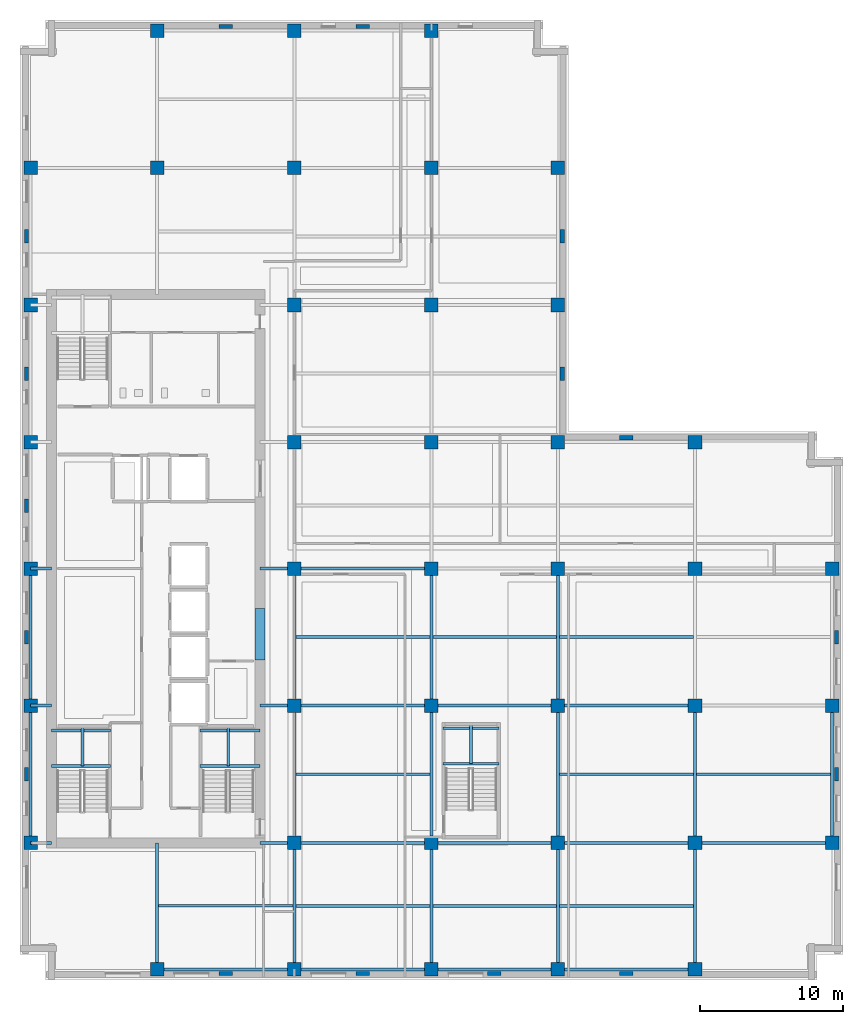
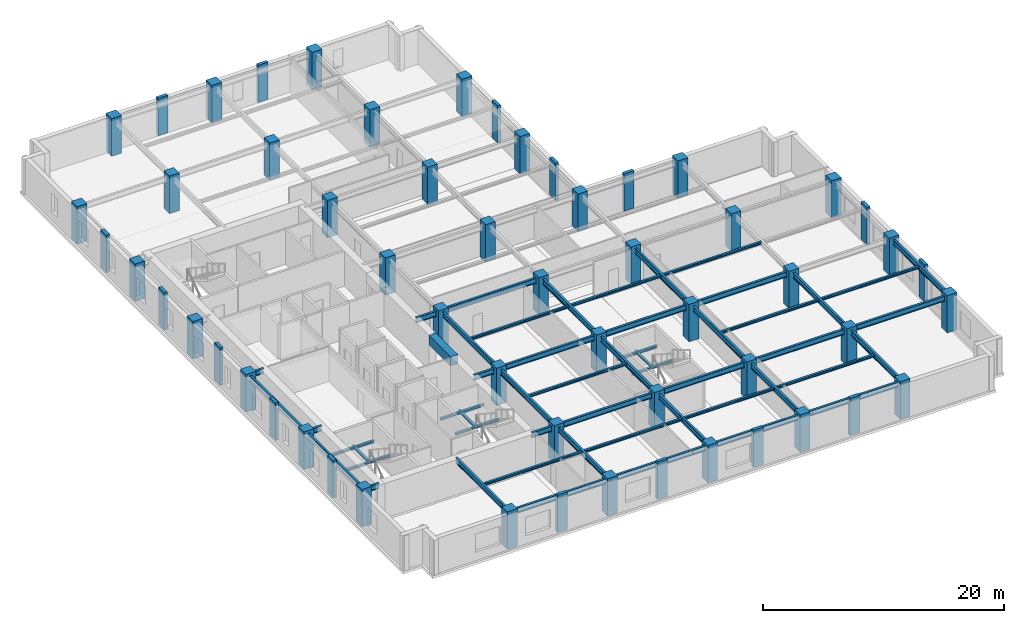
# One storey, part 1 of 12: 56 columns, 53 beams.
"""IFC4 building model written with IfcOpenShell, lengths in metres."""

import ifcopenshell
import ifcopenshell.guid

model = None  # the IFC model being written
_history = None  # IfcOwnerHistory: only IFC2X3 demands one
_inside = {}  # id of a spatial element -> (the spatial element, [elements in it])
_under = {}  # id of a project, library or spatial element -> (it, [spatial elements below it])
_declared = {}  # id of a project -> (the project, [libraries it declares])
_typed = {}  # id of a type object -> (the type object, [elements of that type])
_made_of = {}  # id of a material, layer set ... -> (it, [elements and type objects made of it])


def new_model(schema):
    """Start an empty IFC model of exactly this schema.

    Asked for "IFC4X3", IfcOpenShell would pick the latest addendum, in which some entities
    have other attributes; the version numbers below select the first issue.
    IFC2X3 requires an IfcOwnerHistory on every rooted entity: one is made here for all.
    """
    global model, _history
    if schema == "IFC4X3":
        model = ifcopenshell.file(schema_version=(4, 3, 0, 0))
    else:
        model = ifcopenshell.file(schema=schema)
    _inside.clear()
    _under.clear()
    _declared.clear()
    _typed.clear()
    _made_of.clear()
    _history = None
    if model.schema == "IFC2X3":
        org = make("IfcOrganization", Name="unknown")
        user = make(
            "IfcPersonAndOrganization",
            ThePerson=make("IfcPerson", FamilyName="unknown"),
            TheOrganization=org,
        )
        app = make(
            "IfcApplication",
            ApplicationDeveloper=org,
            Version="unknown",
            ApplicationFullName="unknown",
            ApplicationIdentifier="unknown",
        )
        _history = make(
            "IfcOwnerHistory",
            OwningUser=user,
            OwningApplication=app,
            ChangeAction="ADDED",
            CreationDate=0,
        )
    return model


def make(cls, **values):
    """One entity of the class cls with the attributes given. An attribute that is None is left unset."""
    return model.create_entity(
        cls, **{name: value for name, value in values.items() if value is not None}
    )


def rooted(cls, **values):
    """An entity with a GlobalId (a new one), such as an element, a storey or a relation."""
    return make(cls, GlobalId=ifcopenshell.guid.new(), OwnerHistory=_history, **values)


def si_unit(unit_type, name, prefix=None):
    """IfcSIUnit, for example si_unit("LENGTHUNIT", "METRE", prefix="MILLI")."""
    return make("IfcSIUnit", UnitType=unit_type, Prefix=prefix, Name=name)


def assignment(units):
    """IfcUnitAssignment: the units of a project."""
    return None if units is None else make("IfcUnitAssignment", Units=units)


def point(xyz):
    """IfcCartesianPoint."""
    return None if xyz is None else make("IfcCartesianPoint", Coordinates=xyz)


def direction(xyz):
    """IfcDirection."""
    return None if xyz is None else make("IfcDirection", DirectionRatios=xyz)


def frame(location, z_axis=None, x_axis=None):
    """IfcAxis2Placement3D, a coordinate frame: its origin and axes. An axis left out is left unset."""
    return make(
        "IfcAxis2Placement3D",
        Location=point(location),
        Axis=direction(z_axis),
        RefDirection=direction(x_axis),
    )


def frame_2d(location, x_axis=None):
    """IfcAxis2Placement2D, a coordinate frame in the plane: its origin and x axis."""
    return make(
        "IfcAxis2Placement2D", Location=point(location), RefDirection=direction(x_axis)
    )


def origin():
    """The frame at (0, 0, 0) with its axes left unset."""
    return frame((0.0, 0.0, 0.0))


def origin_2d():
    """The frame at (0, 0) in the plane with its x axis left unset."""
    return frame_2d((0.0, 0.0))


def place(relative_to, where):
    """IfcLocalPlacement: puts the frame where relative to a parent placement (None: the world)."""
    return make(
        "IfcLocalPlacement", PlacementRelTo=relative_to, RelativePlacement=where
    )


def context(
    kind, dimensions, precision=None, world=None, true_north=None, identifier=None
):
    """IfcGeometricRepresentationContext, for example the 3D "Model" context."""
    return make(
        "IfcGeometricRepresentationContext",
        ContextIdentifier=identifier,
        ContextType=kind,
        CoordinateSpaceDimension=dimensions,
        Precision=precision,
        WorldCoordinateSystem=world,
        TrueNorth=true_north,
    )


def subcontext(parent, identifier, kind, view, scale=None):
    """IfcGeometricRepresentationSubContext, for example "Body" below "Model"."""
    return make(
        "IfcGeometricRepresentationSubContext",
        ContextIdentifier=identifier,
        ContextType=kind,
        ParentContext=parent,
        TargetScale=scale,
        TargetView=view,
    )


def project(units=None, contexts=None):
    """IfcProject with its units and contexts."""
    return rooted(
        "IfcProject",
        Name="project",
        RepresentationContexts=contexts,
        UnitsInContext=assignment(units),
    )


def spatial(cls, under=None, at=None, **own):
    """A site, building, storey or space (cls), placed at a placement, below another one or the project."""
    s = rooted(cls, ObjectPlacement=at, **own)
    if under is not None:
        _under.setdefault(under.id(), (under, []))[1].append(s)
    return s


def profile(cls, at=None, kind="AREA", **sizes):
    """A parametric profile (cls). Its sizes go by their IFC names, for example OverallWidth=200.0."""
    return make(cls, ProfileType=kind, Position=at, **sizes)


def rectangle(**sizes):
    """IfcRectangleProfileDef."""
    return profile("IfcRectangleProfileDef", **sizes)


def i_section(**sizes):
    """IfcIShapeProfileDef."""
    return profile("IfcIShapeProfileDef", **sizes)


def extrude(swept, where, along, depth):
    """IfcExtrudedAreaSolid: the profile swept, set in the frame where, extruded along a direction by depth."""
    return make(
        "IfcExtrudedAreaSolid",
        SweptArea=swept,
        Position=where,
        ExtrudedDirection=direction(along),
        Depth=depth,
    )


def shape(context_of_items, identifier, shape_type, items):
    """IfcShapeRepresentation: the items that make up one representation, for example the "Body"."""
    return make(
        "IfcShapeRepresentation",
        ContextOfItems=context_of_items,
        RepresentationIdentifier=identifier,
        RepresentationType=shape_type,
        Items=items,
    )


def material(Name=None, Category=None):
    """IfcMaterial."""
    return make("IfcMaterial", Name=Name, Category=Category)


def material_profile(
    of_material, cross_section, Name=None, Category=None, Priority=None
):
    """IfcMaterialProfile: a cross section and its material."""
    return make(
        "IfcMaterialProfile",
        Name=Name,
        Material=of_material,
        Profile=cross_section,
        Priority=Priority,
        Category=Category,
    )


def profile_set(profiles, Name=None, composite=None):
    """IfcMaterialProfileSet."""
    return make(
        "IfcMaterialProfileSet",
        Name=Name,
        MaterialProfiles=profiles,
        CompositeProfile=composite,
    )


def made_of(thing, what):
    """Note that an element or type object is made of a material, layer set ...; save() writes the relation."""
    if what is not None:
        _made_of.setdefault(what.id(), (what, []))[1].append(thing)
    return thing


def type_object(cls, material=None, **own):
    """A type object (cls), such as IfcWallType, which elements share."""
    return made_of(rooted(cls, **own), material)


def element(
    cls,
    number,
    at=None,
    inside=None,
    cuts=None,
    type_object=None,
    material=None,
    context=None,
    identifier="Body",
    shape_type=None,
    held_by="IfcProductDefinitionShape",
    body=None,
    shapes=None,
    **own,
):
    """One element of the class cls, such as IfcWall. Its Tag is "e" and its number.

    at: its placement. inside: the storey or other place that contains it. cuts: it is an
    opening in that element (IfcRelVoidsElement). A single representation is given by context,
    identifier, shape_type and body (its items); several are given by shapes. held_by: the class
    of the entity that holds the representations. save() writes the other relations.
    """
    e = rooted(cls, Tag="e%d" % number, ObjectPlacement=at, **own)
    if body is not None:
        shapes = [shape(context, identifier, shape_type, body)]
    if shapes is not None:
        e.Representation = make(held_by, Representations=shapes)
    if inside is not None:
        _inside.setdefault(inside.id(), (inside, []))[1].append(e)
    if cuts is not None:
        rooted(
            "IfcRelVoidsElement", RelatingBuildingElement=cuts, RelatedOpeningElement=e
        )
    if type_object is not None:
        _typed.setdefault(type_object.id(), (type_object, []))[1].append(e)
    return made_of(e, material)


def aggregate(whole, parts):
    """IfcRelAggregates: a whole, such as a stair, and the parts it consists of."""
    return rooted("IfcRelAggregates", RelatingObject=whole, RelatedObjects=parts)


def save(model, path):
    """Write the relations noted so far, then the file.

    IfcRelAggregates (storeys below a building ...), IfcRelContainedInSpatialStructure (elements
    in a storey), IfcRelDefinesByType, IfcRelAssociatesMaterial and IfcRelDeclares: one each for
    every whole, place, type object, material and project.
    """
    for whole, parts in _under.values():
        aggregate(whole, parts)
    for where, things in _inside.values():
        rooted(
            "IfcRelContainedInSpatialStructure",
            RelatedElements=things,
            RelatingStructure=where,
        )
    for kind, things in _typed.values():
        rooted("IfcRelDefinesByType", RelatedObjects=things, RelatingType=kind)
    for what, things in _made_of.values():
        rooted("IfcRelAssociatesMaterial", RelatedObjects=things, RelatingMaterial=what)
    for by, libraries in _declared.values():
        rooted("IfcRelDeclares", RelatingContext=by, RelatedDefinitions=libraries)
    model.write(path)


model = new_model("IFC4")

# Units and contexts
model_context = context("Model", 3, precision=1e-05, world=origin(), true_north=direction((0.0, 1.0)))
body_context = subcontext(model_context, "Body", "Model", "MODEL_VIEW")
ifc_project = project(units=[si_unit("LENGTHUNIT", "METRE"), si_unit("AREAUNIT", "SQUARE_METRE"), si_unit("VOLUMEUNIT", "CUBIC_METRE"), si_unit("PLANEANGLEUNIT", "RADIAN"), si_unit("MASSUNIT", "GRAM", prefix="KILO")], contexts=[model_context])

# Site, building, storey
site_placement = place(None, origin())
site = spatial("IfcSite", under=ifc_project, at=site_placement, CompositionType="ELEMENT")
building_placement = place(site_placement, origin())
building = spatial("IfcBuilding", under=site, at=building_placement, Name="Norrvale University Quadrangle", CompositionType="ELEMENT")
storey_placement = place(building_placement, frame((0.0, 0.0, 182.60009765625)))
storey = spatial("IfcBuildingStorey", under=building, at=storey_placement, Name="L46", CompositionType="ELEMENT", Elevation=182.60009765625)

# Columns
ifc_material_1 = material(Name="Red Manganese Brick Concrete C60/75", Category="concrete")
ifc_material_profile_1 = material_profile(ifc_material_1, rectangle(XDim=0.949951171875, YDim=0.300048828125, at=origin_2d()), Name="Red Manganese Brick Concrete C60/75")
ifc_profile_set_1 = profile_set([ifc_material_profile_1], Name="Red Manganese Brick Concrete C60/75")
column_type_1 = type_object("IfcColumnType", Name="Column Brick Pier 950x300", PredefinedType="PILASTER", material=ifc_profile_set_1)
for number, where, z_axis, x_axis, name in (
    (1, (0.449951171875, 14.39990234375, 0.0), (0.0, 0.0, 1.0), (0.0, 1.0, 0.0), "Exterior Brick Facade Pilaster L46-01"),
    (2, (0.449951171875, 24.0, 0.0), (0.0, 0.0, 1.0), (0.0, 1.0, 0.0), "Exterior Brick Facade Pilaster L46-02"),
    (3, (0.449951171875, 33.199951171875, 0.0), (0.0, 0.0, 1.0), (0.0, 1.0, 0.0), "Exterior Brick Facade Pilaster L46-03"),
    (4, (0.449951171875, 42.449951171875, 0.0), (0.0, 0.0, 1.0), (0.0, 1.0, 0.0), "Exterior Brick Facade Pilaster L46-04"),
    (5, (0.449951171875, 52.050048828125, 0.0), (0.0, 0.0, 1.0), (0.0, 1.0, 0.0), "Exterior Brick Facade Pilaster L46-05"),
    (6, (14.39990234375, 0.449951171875, 0.0), (0.0, 0.0, 1.0), (1.0, 0.0, 0.0), "Exterior Brick Facade Pilaster L46-06"),
    (7, (24.0, 0.449951171875, 0.0), (0.0, 0.0, 1.0), (1.0, 0.0, 0.0), "Exterior Brick Facade Pilaster L46-07"),
    (8, (33.199951171875, 0.449951171875, 0.0), (0.0, 0.0, 1.0), (1.0, 0.0, 0.0), "Exterior Brick Facade Pilaster L46-08"),
    (9, (42.449951171875, 0.449951171875, 0.0), (0.0, 0.0, 1.0), (1.0, 0.0, 0.0), "Exterior Brick Facade Pilaster L46-09"),
    (10, (57.14990234375, 14.39990234375, 0.0), (0.0, 0.0, 1.0), (0.0, 1.0, 0.0), "Exterior Brick Facade Pilaster L46-10"),
    (11, (57.14990234375, 24.0, 0.0), (0.0, 0.0, 1.0), (0.0, 1.0, 0.0), "Exterior Brick Facade Pilaster L46-11"),
    (12, (14.39990234375, 66.75, 0.0), (0.0, 0.0, 1.0), (1.0, 0.0, 0.0), "Exterior Brick Facade Pilaster L46-12"),
    (13, (24.0, 66.75, 0.0), (0.0, 0.0, 1.0), (1.0, 0.0, 0.0), "Exterior Brick Facade Pilaster L46-13"),
    (14, (37.949951171875, 42.449951171875, 0.0), (0.0, 0.0, 1.0), (0.0, 1.0, 0.0), "Exterior Brick Facade Pilaster L46-14"),
    (15, (37.949951171875, 52.050048828125, 0.0), (0.0, 0.0, 1.0), (0.0, 1.0, 0.0), "Exterior Brick Facade Pilaster L46-15"),
    (16, (42.449951171875, 37.949951171875, 0.0), (0.0, 0.0, 1.0), (1.0, 0.0, 0.0), "Exterior Brick Facade Pilaster L46-16"),
):
    element("IfcColumn", number, at=place(storey_placement, frame(where, z_axis=z_axis, x_axis=x_axis)), inside=storey, type_object=column_type_1, Name=name, PredefinedType="PILASTER", context=body_context, shape_type="SweptSolid", body=[
        extrude(rectangle(XDim=0.949951171875, YDim=0.300048828125, at=origin_2d()), origin(), (0.0, 0.0, 1.0), 3.7998046875),
    ])
ifc_material_2 = material(Name="Concrete C60/75", Category="concrete")
ifc_material_profile_2 = material_profile(ifc_material_2, rectangle(XDim=0.949951171875, YDim=0.949951171875, at=origin_2d()), Name="Concrete C60/75")
ifc_profile_set_2 = profile_set([ifc_material_profile_2], Name="Concrete C60/75")
column_type_2 = type_object("IfcColumnType", Name="Column Tower Z2 950x950", PredefinedType="COLUMN", material=ifc_profile_set_2)
for number, where, z_axis, x_axis, name in (
    (17, (0.75, 9.60009765625, 0.0), (0.0, 0.0, 1.0), (1.0, 0.0, 0.0), "Tower Column L46-T01"),
    (18, (0.75, 19.199951171875, 0.0), (0.0, 0.0, 1.0), (1.0, 0.0, 0.0), "Tower Column L46-T02"),
    (19, (0.75, 28.800048828125, 0.0), (0.0, 0.0, 1.0), (1.0, 0.0, 0.0), "Tower Column L46-T03"),
    (20, (0.75, 37.64990234375, 0.0), (0.0, 0.0, 1.0), (1.0, 0.0, 0.0), "Tower Column L46-T04"),
    (21, (0.75, 47.25, 0.0), (0.0, 0.0, 1.0), (1.0, 0.0, 0.0), "Tower Column L46-T05"),
    (22, (0.75, 56.85009765625, 0.0), (0.0, 0.0, 1.0), (1.0, 0.0, 0.0), "Tower Column L46-T06"),
    (23, (9.60009765625, 0.75, 0.0), (0.0, 0.0, 1.0), (1.0, 0.0, 0.0), "Tower Column L46-T07"),
    (24, (9.60009765625, 56.85009765625, 0.0), (0.0, 0.0, 1.0), (1.0, 0.0, 0.0), "Tower Column L46-T08"),
    (25, (9.60009765625, 66.449951171875, 0.0), (0.0, 0.0, 1.0), (1.0, 0.0, 0.0), "Tower Column L46-T09"),
    (26, (19.199951171875, 0.75, 0.0), (0.0, 0.0, 1.0), (1.0, 0.0, 0.0), "Tower Column L46-T10"),
    (27, (19.199951171875, 9.60009765625, 0.0), (0.0, 0.0, 1.0), (1.0, 0.0, 0.0), "Tower Column L46-T11"),
    (28, (19.199951171875, 19.199951171875, 0.0), (0.0, 0.0, 1.0), (1.0, 0.0, 0.0), "Tower Column L46-T12"),
    (29, (19.199951171875, 28.800048828125, 0.0), (0.0, 0.0, 1.0), (1.0, 0.0, 0.0), "Tower Column L46-T13"),
    (30, (19.199951171875, 37.64990234375, 0.0), (0.0, 0.0, 1.0), (1.0, 0.0, 0.0), "Tower Column L46-T14"),
    (31, (19.199951171875, 47.25, 0.0), (0.0, 0.0, 1.0), (1.0, 0.0, 0.0), "Tower Column L46-T15"),
    (32, (19.199951171875, 56.85009765625, 0.0), (0.0, 0.0, 1.0), (1.0, 0.0, 0.0), "Tower Column L46-T16"),
    (33, (19.199951171875, 66.449951171875, 0.0), (0.0, 0.0, 1.0), (1.0, 0.0, 0.0), "Tower Column L46-T17"),
    (34, (28.800048828125, 0.75, 0.0), (0.0, 0.0, 1.0), (1.0, 0.0, 0.0), "Tower Column L46-T18"),
    (35, (28.800048828125, 9.60009765625, 0.0), (0.0, 0.0, 1.0), (1.0, 0.0, 0.0), "Tower Column L46-T19"),
    (36, (28.800048828125, 19.199951171875, 0.0), (0.0, 0.0, 1.0), (1.0, 0.0, 0.0), "Tower Column L46-T20"),
    (37, (28.800048828125, 28.800048828125, 0.0), (0.0, 0.0, 1.0), (1.0, 0.0, 0.0), "Tower Column L46-T21"),
    (38, (28.800048828125, 37.64990234375, 0.0), (0.0, 0.0, 1.0), (1.0, 0.0, 0.0), "Tower Column L46-T22"),
    (39, (28.800048828125, 47.25, 0.0), (0.0, 0.0, 1.0), (1.0, 0.0, 0.0), "Tower Column L46-T23"),
    (40, (28.800048828125, 56.85009765625, 0.0), (0.0, 0.0, 1.0), (1.0, 0.0, 0.0), "Tower Column L46-T24"),
    (41, (28.800048828125, 66.449951171875, 0.0), (0.0, 0.0, 1.0), (1.0, 0.0, 0.0), "Tower Column L46-T25"),
    (42, (37.64990234375, 0.75, 0.0), (0.0, 0.0, 1.0), (1.0, 0.0, 0.0), "Tower Column L46-T26"),
    (43, (37.64990234375, 9.60009765625, 0.0), (0.0, 0.0, 1.0), (1.0, 0.0, 0.0), "Tower Column L46-T27"),
    (44, (37.64990234375, 19.199951171875, 0.0), (0.0, 0.0, 1.0), (1.0, 0.0, 0.0), "Tower Column L46-T28"),
    (45, (37.64990234375, 28.800048828125, 0.0), (0.0, 0.0, 1.0), (1.0, 0.0, 0.0), "Tower Column L46-T29"),
    (46, (37.64990234375, 37.64990234375, 0.0), (0.0, 0.0, 1.0), (1.0, 0.0, 0.0), "Tower Column L46-T30"),
    (47, (37.64990234375, 47.25, 0.0), (0.0, 0.0, 1.0), (1.0, 0.0, 0.0), "Tower Column L46-T31"),
    (48, (37.64990234375, 56.85009765625, 0.0), (0.0, 0.0, 1.0), (1.0, 0.0, 0.0), "Tower Column L46-T32"),
    (49, (47.25, 0.75, 0.0), (0.0, 0.0, 1.0), (1.0, 0.0, 0.0), "Tower Column L46-T33"),
    (50, (47.25, 9.60009765625, 0.0), (0.0, 0.0, 1.0), (1.0, 0.0, 0.0), "Tower Column L46-T34"),
    (51, (47.25, 19.199951171875, 0.0), (0.0, 0.0, 1.0), (1.0, 0.0, 0.0), "Tower Column L46-T35"),
    (52, (47.25, 28.800048828125, 0.0), (0.0, 0.0, 1.0), (1.0, 0.0, 0.0), "Tower Column L46-T36"),
    (53, (47.25, 37.64990234375, 0.0), (0.0, 0.0, 1.0), (1.0, 0.0, 0.0), "Tower Column L46-T37"),
    (54, (56.85009765625, 9.60009765625, 0.0), (0.0, 0.0, 1.0), (1.0, 0.0, 0.0), "Tower Column L46-T38"),
    (55, (56.85009765625, 19.199951171875, 0.0), (0.0, 0.0, 1.0), (1.0, 0.0, 0.0), "Tower Column L46-T39"),
    (56, (56.85009765625, 28.800048828125, 0.0), (0.0, 0.0, 1.0), (1.0, 0.0, 0.0), "Tower Column L46-T40"),
):
    element("IfcColumn", number, at=place(storey_placement, frame(where, z_axis=z_axis, x_axis=x_axis)), inside=storey, type_object=column_type_2, Name=name, PredefinedType="COLUMN", context=body_context, shape_type="SweptSolid", body=[
        extrude(rectangle(XDim=0.949951171875, YDim=0.949951171875, at=origin_2d()), origin(), (0.0, 0.0, 1.0), 3.7998046875),
    ])

# Beams
ifc_material_3 = material(Name="Concrete C80/95", Category="concrete")
ifc_material_profile_3 = material_profile(ifc_material_3, rectangle(XDim=0.699951171875, YDim=0.949951171875, at=origin_2d()), Name="Concrete C80/95")
ifc_profile_set_3 = profile_set([ifc_material_profile_3], Name="Concrete C80/95")
beam_type_1 = type_object("IfcBeamType", Name="Beam Core Link 700x950", PredefinedType="LINTEL", material=ifc_profile_set_3)
beam_1_placement = place(storey_placement, frame((16.800048828125, 22.39990234375, 3.06494140625), z_axis=(0.0, 1.0, 0.0), x_axis=(-1.0, 0.0, 0.0)))
element("IfcBeam", 57, at=beam_1_placement, inside=storey, type_object=beam_type_1, Name="Core Coupling Lintel Beam L46-1", PredefinedType="LINTEL", context=body_context, shape_type="SweptSolid", body=[
    extrude(rectangle(XDim=0.699951171875, YDim=0.949951171875, at=origin_2d()), origin(), (0.0, 0.0, 1.0), 3.60009765625),
])
ifc_material_4 = material(Name="Steel 350W", Category="steel")
ifc_material_profile_4 = material_profile(ifc_material_4, i_section(OverallWidth=0.208984375, OverallDepth=0.532958984375, WebThickness=0.01025390625, FlangeThickness=0.015625, FilletRadius=0.013916015625, at=origin_2d()), Name="Steel 350W")
ifc_profile_set_4 = profile_set([ifc_material_profile_4], Name="Steel 350W")
beam_type_2 = type_object("IfcBeamType", Name="Beam Floor W530x92", PredefinedType="JOIST", material=ifc_profile_set_4)
beam_2_placement = place(storey_placement, frame((9.60009765625, 0.75, 3.2734375), z_axis=(1.0, 0.0, 0.0), x_axis=(0.0, 1.0, 0.0)))
element("IfcBeam", 58, at=beam_2_placement, inside=storey, type_object=beam_type_2, Name="Beam Floor W530x92 BM-L46-GX001", PredefinedType="JOIST", context=body_context, shape_type="SweptSolid", body=[
    extrude(i_section(OverallWidth=0.208984375, OverallDepth=0.532958984375, WebThickness=0.01025390625, FlangeThickness=0.015625, FilletRadius=0.013916015625, at=origin_2d()), origin(), (0.0, 0.0, 1.0), 9.599853515625),
])
beam_3_placement = place(storey_placement, frame((19.199951171875, 0.75, 3.2734375), z_axis=(1.0, 0.0, 0.0), x_axis=(0.0, 1.0, 0.0)))
element("IfcBeam", 59, at=beam_3_placement, inside=storey, type_object=beam_type_2, Name="Beam Floor W530x92 BM-L46-GX002", PredefinedType="JOIST", context=body_context, shape_type="SweptSolid", body=[
    extrude(i_section(OverallWidth=0.208984375, OverallDepth=0.532958984375, WebThickness=0.01025390625, FlangeThickness=0.015625, FilletRadius=0.013916015625, at=origin_2d()), origin(), (0.0, 0.0, 1.0), 9.60009765625),
])
beam_4_placement = place(storey_placement, frame((28.800048828125, 0.75, 3.2734375), z_axis=(1.0, 0.0, 0.0), x_axis=(0.0, 1.0, 0.0)))
element("IfcBeam", 60, at=beam_4_placement, inside=storey, type_object=beam_type_2, Name="Beam Floor W530x92 BM-L46-GX003", PredefinedType="JOIST", context=body_context, shape_type="SweptSolid", body=[
    extrude(i_section(OverallWidth=0.208984375, OverallDepth=0.532958984375, WebThickness=0.01025390625, FlangeThickness=0.015625, FilletRadius=0.013916015625, at=origin_2d()), origin(), (0.0, 0.0, 1.0), 8.849853515625),
])
for number, where, z_axis, x_axis, name in (
    (61, (37.64990234375, 0.75, 3.2734375), (1.0, 0.0, 0.0), (0.0, 1.0, 0.0), "Beam Floor W530x92 BM-L46-GX004"),
    (62, (19.199951171875, 9.60009765625, 3.2734375), (1.0, 0.0, 0.0), (0.0, 1.0, 0.0), "Beam Floor W530x92 BM-L46-GX005"),
):
    element("IfcBeam", number, at=place(storey_placement, frame(where, z_axis=z_axis, x_axis=x_axis)), inside=storey, type_object=beam_type_2, Name=name, PredefinedType="JOIST", context=body_context, shape_type="SweptSolid", body=[
        extrude(i_section(OverallWidth=0.208984375, OverallDepth=0.532958984375, WebThickness=0.01025390625, FlangeThickness=0.015625, FilletRadius=0.013916015625, at=origin_2d()), origin(), (0.0, 0.0, 1.0), 9.60009765625),
    ])
beam_5_placement = place(storey_placement, frame((28.800048828125, 9.60009765625, 3.2734375), z_axis=(1.0, 0.0, 0.0), x_axis=(0.0, 1.0, 0.0)))
element("IfcBeam", 63, at=beam_5_placement, inside=storey, type_object=beam_type_2, Name="Beam Floor W530x92 BM-L46-GX006", PredefinedType="JOIST", context=body_context, shape_type="SweptSolid", body=[
    extrude(i_section(OverallWidth=0.208984375, OverallDepth=0.532958984375, WebThickness=0.01025390625, FlangeThickness=0.015625, FilletRadius=0.013916015625, at=origin_2d()), origin(), (0.0, 0.0, 1.0), 8.849853515625),
])
for number, where, z_axis, x_axis, name in (
    (64, (37.64990234375, 9.60009765625, 3.2734375), (1.0, 0.0, 0.0), (0.0, 1.0, 0.0), "Beam Floor W530x92 BM-L46-GX007"),
    (65, (47.25, 9.60009765625, 3.2734375), (1.0, 0.0, 0.0), (0.0, 1.0, 0.0), "Beam Floor W530x92 BM-L46-GX008"),
    (66, (19.199951171875, 19.199951171875, 3.2734375), (1.0, 0.0, 0.0), (0.0, 1.0, 0.0), "Beam Floor W530x92 BM-L46-GX009"),
):
    element("IfcBeam", number, at=place(storey_placement, frame(where, z_axis=z_axis, x_axis=x_axis)), inside=storey, type_object=beam_type_2, Name=name, PredefinedType="JOIST", context=body_context, shape_type="SweptSolid", body=[
        extrude(i_section(OverallWidth=0.208984375, OverallDepth=0.532958984375, WebThickness=0.01025390625, FlangeThickness=0.015625, FilletRadius=0.013916015625, at=origin_2d()), origin(), (0.0, 0.0, 1.0), 9.60009765625),
    ])
beam_6_placement = place(storey_placement, frame((28.800048828125, 19.199951171875, 3.2734375), z_axis=(1.0, 0.0, 0.0), x_axis=(0.0, 1.0, 0.0)))
element("IfcBeam", 67, at=beam_6_placement, inside=storey, type_object=beam_type_2, Name="Beam Floor W530x92 BM-L46-GX010", PredefinedType="JOIST", context=body_context, shape_type="SweptSolid", body=[
    extrude(i_section(OverallWidth=0.208984375, OverallDepth=0.532958984375, WebThickness=0.01025390625, FlangeThickness=0.015625, FilletRadius=0.013916015625, at=origin_2d()), origin(), (0.0, 0.0, 1.0), 8.849853515625),
])
for number, where, z_axis, x_axis, name in (
    (68, (37.64990234375, 19.199951171875, 3.2734375), (1.0, 0.0, 0.0), (0.0, 1.0, 0.0), "Beam Floor W530x92 BM-L46-GX011"),
    (69, (19.199951171875, 28.800048828125, 3.2734375), (1.0, 0.0, 0.0), (0.0, 1.0, 0.0), "Beam Floor W530x92 BM-L46-GX013"),
):
    element("IfcBeam", number, at=place(storey_placement, frame(where, z_axis=z_axis, x_axis=x_axis)), inside=storey, type_object=beam_type_2, Name=name, PredefinedType="JOIST", context=body_context, shape_type="SweptSolid", body=[
        extrude(i_section(OverallWidth=0.208984375, OverallDepth=0.532958984375, WebThickness=0.01025390625, FlangeThickness=0.015625, FilletRadius=0.013916015625, at=origin_2d()), origin(), (0.0, 0.0, 1.0), 9.60009765625),
    ])
beam_7_placement = place(storey_placement, frame((0.75, 9.60009765625, 3.2734375), z_axis=(0.0, 1.0, 0.0), x_axis=(-1.0, 0.0, 0.0)))
element("IfcBeam", 70, at=beam_7_placement, inside=storey, type_object=beam_type_2, Name="Beam Floor W530x92 BM-L46-GY028", PredefinedType="JOIST", context=body_context, shape_type="SweptSolid", body=[
    extrude(i_section(OverallWidth=0.208984375, OverallDepth=0.532958984375, WebThickness=0.01025390625, FlangeThickness=0.015625, FilletRadius=0.013916015625, at=origin_2d()), origin(), (0.0, 0.0, 1.0), 9.599853515625),
])
beam_8_placement = place(storey_placement, frame((0.75, 19.199951171875, 3.2734375), z_axis=(0.0, 1.0, 0.0), x_axis=(-1.0, 0.0, 0.0)))
element("IfcBeam", 71, at=beam_8_placement, inside=storey, type_object=beam_type_2, Name="Beam Floor W530x92 BM-L46-GY029", PredefinedType="JOIST", context=body_context, shape_type="SweptSolid", body=[
    extrude(i_section(OverallWidth=0.208984375, OverallDepth=0.532958984375, WebThickness=0.01025390625, FlangeThickness=0.015625, FilletRadius=0.013916015625, at=origin_2d()), origin(), (0.0, 0.0, 1.0), 9.60009765625),
])
beam_9_placement = place(storey_placement, frame((19.199951171875, 0.75, 3.2734375), z_axis=(0.0, 1.0, 0.0), x_axis=(-1.0, 0.0, 0.0)))
element("IfcBeam", 72, at=beam_9_placement, inside=storey, type_object=beam_type_2, Name="Beam Floor W530x92 BM-L46-GY034", PredefinedType="JOIST", context=body_context, shape_type="SweptSolid", body=[
    extrude(i_section(OverallWidth=0.208984375, OverallDepth=0.532958984375, WebThickness=0.01025390625, FlangeThickness=0.015625, FilletRadius=0.013916015625, at=origin_2d()), origin(), (0.0, 0.0, 1.0), 8.85009765625),
])
beam_10_placement = place(storey_placement, frame((19.199951171875, 9.60009765625, 3.2734375), z_axis=(0.0, 1.0, 0.0), x_axis=(-1.0, 0.0, 0.0)))
element("IfcBeam", 73, at=beam_10_placement, inside=storey, type_object=beam_type_2, Name="Beam Floor W530x92 BM-L46-GY035", PredefinedType="JOIST", context=body_context, shape_type="SweptSolid", body=[
    extrude(i_section(OverallWidth=0.208984375, OverallDepth=0.532958984375, WebThickness=0.01025390625, FlangeThickness=0.015625, FilletRadius=0.013916015625, at=origin_2d()), origin(), (0.0, 0.0, 1.0), 9.599853515625),
])
beam_11_placement = place(storey_placement, frame((19.199951171875, 19.199951171875, 3.2734375), z_axis=(0.0, 1.0, 0.0), x_axis=(-1.0, 0.0, 0.0)))
element("IfcBeam", 74, at=beam_11_placement, inside=storey, type_object=beam_type_2, Name="Beam Floor W530x92 BM-L46-GY036", PredefinedType="JOIST", context=body_context, shape_type="SweptSolid", body=[
    extrude(i_section(OverallWidth=0.208984375, OverallDepth=0.532958984375, WebThickness=0.01025390625, FlangeThickness=0.015625, FilletRadius=0.013916015625, at=origin_2d()), origin(), (0.0, 0.0, 1.0), 9.60009765625),
])
beam_12_placement = place(storey_placement, frame((28.800048828125, 0.75, 3.2734375), z_axis=(0.0, 1.0, 0.0), x_axis=(-1.0, 0.0, 0.0)))
element("IfcBeam", 75, at=beam_12_placement, inside=storey, type_object=beam_type_2, Name="Beam Floor W530x92 BM-L46-GY041", PredefinedType="JOIST", context=body_context, shape_type="SweptSolid", body=[
    extrude(i_section(OverallWidth=0.208984375, OverallDepth=0.532958984375, WebThickness=0.01025390625, FlangeThickness=0.015625, FilletRadius=0.013916015625, at=origin_2d()), origin(), (0.0, 0.0, 1.0), 8.85009765625),
])
beam_13_placement = place(storey_placement, frame((28.800048828125, 9.60009765625, 3.2734375), z_axis=(0.0, 1.0, 0.0), x_axis=(-1.0, 0.0, 0.0)))
element("IfcBeam", 76, at=beam_13_placement, inside=storey, type_object=beam_type_2, Name="Beam Floor W530x92 BM-L46-GY042", PredefinedType="JOIST", context=body_context, shape_type="SweptSolid", body=[
    extrude(i_section(OverallWidth=0.208984375, OverallDepth=0.532958984375, WebThickness=0.01025390625, FlangeThickness=0.015625, FilletRadius=0.013916015625, at=origin_2d()), origin(), (0.0, 0.0, 1.0), 9.599853515625),
])
beam_14_placement = place(storey_placement, frame((28.800048828125, 19.199951171875, 3.2734375), z_axis=(0.0, 1.0, 0.0), x_axis=(-1.0, 0.0, 0.0)))
element("IfcBeam", 77, at=beam_14_placement, inside=storey, type_object=beam_type_2, Name="Beam Floor W530x92 BM-L46-GY043", PredefinedType="JOIST", context=body_context, shape_type="SweptSolid", body=[
    extrude(i_section(OverallWidth=0.208984375, OverallDepth=0.532958984375, WebThickness=0.01025390625, FlangeThickness=0.015625, FilletRadius=0.013916015625, at=origin_2d()), origin(), (0.0, 0.0, 1.0), 9.60009765625),
])
beam_15_placement = place(storey_placement, frame((37.64990234375, 0.75, 3.2734375), z_axis=(0.0, 1.0, 0.0), x_axis=(-1.0, 0.0, 0.0)))
element("IfcBeam", 78, at=beam_15_placement, inside=storey, type_object=beam_type_2, Name="Beam Floor W530x92 BM-L46-GY048", PredefinedType="JOIST", context=body_context, shape_type="SweptSolid", body=[
    extrude(i_section(OverallWidth=0.208984375, OverallDepth=0.532958984375, WebThickness=0.01025390625, FlangeThickness=0.015625, FilletRadius=0.013916015625, at=origin_2d()), origin(), (0.0, 0.0, 1.0), 8.85009765625),
])
beam_16_placement = place(storey_placement, frame((37.64990234375, 9.60009765625, 3.2734375), z_axis=(0.0, 1.0, 0.0), x_axis=(-1.0, 0.0, 0.0)))
element("IfcBeam", 79, at=beam_16_placement, inside=storey, type_object=beam_type_2, Name="Beam Floor W530x92 BM-L46-GY049", PredefinedType="JOIST", context=body_context, shape_type="SweptSolid", body=[
    extrude(i_section(OverallWidth=0.208984375, OverallDepth=0.532958984375, WebThickness=0.01025390625, FlangeThickness=0.015625, FilletRadius=0.013916015625, at=origin_2d()), origin(), (0.0, 0.0, 1.0), 9.599853515625),
])
beam_17_placement = place(storey_placement, frame((37.64990234375, 19.199951171875, 3.2734375), z_axis=(0.0, 1.0, 0.0), x_axis=(-1.0, 0.0, 0.0)))
element("IfcBeam", 80, at=beam_17_placement, inside=storey, type_object=beam_type_2, Name="Beam Floor W530x92 BM-L46-GY050", PredefinedType="JOIST", context=body_context, shape_type="SweptSolid", body=[
    extrude(i_section(OverallWidth=0.208984375, OverallDepth=0.532958984375, WebThickness=0.01025390625, FlangeThickness=0.015625, FilletRadius=0.013916015625, at=origin_2d()), origin(), (0.0, 0.0, 1.0), 9.60009765625),
])
beam_18_placement = place(storey_placement, frame((47.25, 0.75, 3.2734375), z_axis=(0.0, 1.0, 0.0), x_axis=(-1.0, 0.0, 0.0)))
element("IfcBeam", 81, at=beam_18_placement, inside=storey, type_object=beam_type_2, Name="Beam Floor W530x92 BM-L46-GY054", PredefinedType="JOIST", context=body_context, shape_type="SweptSolid", body=[
    extrude(i_section(OverallWidth=0.208984375, OverallDepth=0.532958984375, WebThickness=0.01025390625, FlangeThickness=0.015625, FilletRadius=0.013916015625, at=origin_2d()), origin(), (0.0, 0.0, 1.0), 8.85009765625),
])
for number, where, z_axis, x_axis, name in (
    (82, (47.25, 9.60009765625, 3.2734375), (0.0, 1.0, 0.0), (-1.0, 0.0, 0.0), "Beam Floor W530x92 BM-L46-GY055"),
    (83, (56.85009765625, 9.60009765625, 3.2734375), (0.0, 1.0, 0.0), (-1.0, 0.0, 0.0), "Beam Floor W530x92 BM-L46-GY058"),
):
    element("IfcBeam", number, at=place(storey_placement, frame(where, z_axis=z_axis, x_axis=x_axis)), inside=storey, type_object=beam_type_2, Name=name, PredefinedType="JOIST", context=body_context, shape_type="SweptSolid", body=[
        extrude(i_section(OverallWidth=0.208984375, OverallDepth=0.532958984375, WebThickness=0.01025390625, FlangeThickness=0.015625, FilletRadius=0.013916015625, at=origin_2d()), origin(), (0.0, 0.0, 1.0), 9.599853515625),
    ])
beam_19_placement = place(storey_placement, frame((0.75, 9.60009765625, 3.2734375), z_axis=(1.0, 0.0, 0.0), x_axis=(0.0, 1.0, 0.0)))
element("IfcBeam", 84, at=beam_19_placement, inside=storey, type_object=beam_type_2, Name="Beam Floor W530x92 BM-L46-GCW060", PredefinedType="JOIST", context=body_context, shape_type="SweptSolid", body=[
    extrude(i_section(OverallWidth=0.208984375, OverallDepth=0.532958984375, WebThickness=0.01025390625, FlangeThickness=0.015625, FilletRadius=0.013916015625, at=origin_2d()), origin(), (0.0, 0.0, 1.0), 1.449951171875),
])
beam_20_placement = place(storey_placement, frame((16.800048828125, 9.60009765625, 3.2734375), z_axis=(1.0, 0.0, 0.0), x_axis=(0.0, 1.0, 0.0)))
element("IfcBeam", 85, at=beam_20_placement, inside=storey, type_object=beam_type_2, Name="Beam Floor W530x92 BM-L46-GCE061", PredefinedType="JOIST", context=body_context, shape_type="SweptSolid", body=[
    extrude(i_section(OverallWidth=0.208984375, OverallDepth=0.532958984375, WebThickness=0.01025390625, FlangeThickness=0.015625, FilletRadius=0.013916015625, at=origin_2d()), origin(), (0.0, 0.0, 1.0), 2.39990234375),
])
beam_21_placement = place(storey_placement, frame((0.75, 19.199951171875, 3.2734375), z_axis=(1.0, 0.0, 0.0), x_axis=(0.0, 1.0, 0.0)))
element("IfcBeam", 86, at=beam_21_placement, inside=storey, type_object=beam_type_2, Name="Beam Floor W530x92 BM-L46-GCW062", PredefinedType="JOIST", context=body_context, shape_type="SweptSolid", body=[
    extrude(i_section(OverallWidth=0.208984375, OverallDepth=0.532958984375, WebThickness=0.01025390625, FlangeThickness=0.015625, FilletRadius=0.013916015625, at=origin_2d()), origin(), (0.0, 0.0, 1.0), 1.449951171875),
])
beam_22_placement = place(storey_placement, frame((16.800048828125, 19.199951171875, 3.2734375), z_axis=(1.0, 0.0, 0.0), x_axis=(0.0, 1.0, 0.0)))
element("IfcBeam", 87, at=beam_22_placement, inside=storey, type_object=beam_type_2, Name="Beam Floor W530x92 BM-L46-GCE063", PredefinedType="JOIST", context=body_context, shape_type="SweptSolid", body=[
    extrude(i_section(OverallWidth=0.208984375, OverallDepth=0.532958984375, WebThickness=0.01025390625, FlangeThickness=0.015625, FilletRadius=0.013916015625, at=origin_2d()), origin(), (0.0, 0.0, 1.0), 2.39990234375),
])
beam_23_placement = place(storey_placement, frame((0.75, 28.800048828125, 3.2734375), z_axis=(1.0, 0.0, 0.0), x_axis=(0.0, 1.0, 0.0)))
element("IfcBeam", 88, at=beam_23_placement, inside=storey, type_object=beam_type_2, Name="Beam Floor W530x92 BM-L46-GCW064", PredefinedType="JOIST", context=body_context, shape_type="SweptSolid", body=[
    extrude(i_section(OverallWidth=0.208984375, OverallDepth=0.532958984375, WebThickness=0.01025390625, FlangeThickness=0.015625, FilletRadius=0.013916015625, at=origin_2d()), origin(), (0.0, 0.0, 1.0), 1.449951171875),
])
beam_24_placement = place(storey_placement, frame((16.800048828125, 28.800048828125, 3.2734375), z_axis=(1.0, 0.0, 0.0), x_axis=(0.0, 1.0, 0.0)))
element("IfcBeam", 89, at=beam_24_placement, inside=storey, type_object=beam_type_2, Name="Beam Floor W530x92 BM-L46-GCE065", PredefinedType="JOIST", context=body_context, shape_type="SweptSolid", body=[
    extrude(i_section(OverallWidth=0.208984375, OverallDepth=0.532958984375, WebThickness=0.01025390625, FlangeThickness=0.015625, FilletRadius=0.013916015625, at=origin_2d()), origin(), (0.0, 0.0, 1.0), 2.39990234375),
])
beam_25_placement = place(storey_placement, frame((9.60009765625, 0.75, 3.2734375), z_axis=(0.0, 1.0, 0.0), x_axis=(-1.0, 0.0, 0.0)))
element("IfcBeam", 90, at=beam_25_placement, inside=storey, type_object=beam_type_2, Name="Beam Floor W530x92 BM-L46-GCS089", PredefinedType="JOIST", context=body_context, shape_type="SweptSolid", body=[
    extrude(i_section(OverallWidth=0.208984375, OverallDepth=0.532958984375, WebThickness=0.01025390625, FlangeThickness=0.015625, FilletRadius=0.013916015625, at=origin_2d()), origin(), (0.0, 0.0, 1.0), 8.85009765625),
])
ifc_material_profile_5 = material_profile(ifc_material_4, i_section(OverallWidth=0.201904296875, OverallDepth=0.2470703125, WebThickness=0.00732421875, FlangeThickness=0.010986328125, FilletRadius=0.011962890625, at=origin_2d()), Name="Steel 350W")
ifc_profile_set_5 = profile_set([ifc_material_profile_5], Name="Steel 350W")
beam_type_3 = type_object("IfcBeamType", Name="Beam Stair W250x49", PredefinedType="BEAM", material=ifc_profile_set_5)
for number, where, z_axis, x_axis, name in (
    (91, (19.304443359375, 5.175048828125, 3.41650390625), (1.0, 0.0, 0.0), (0.0, 1.0, 0.0), "Beam Stair W250x49 BM-L46-J071"),
    (92, (19.304443359375, 14.39990234375, 3.41650390625), (1.0, 0.0, 0.0), (0.0, 1.0, 0.0), "Beam Stair W250x49 BM-L46-J072"),
    (93, (19.304443359375, 24.0, 3.41650390625), (1.0, 0.0, 0.0), (0.0, 1.0, 0.0), "Beam Stair W250x49 BM-L46-J073"),
):
    element("IfcBeam", number, at=place(storey_placement, frame(where, z_axis=z_axis, x_axis=x_axis)), inside=storey, type_object=beam_type_3, Name=name, PredefinedType="BEAM", context=body_context, shape_type="SweptSolid", body=[
        extrude(i_section(OverallWidth=0.201904296875, OverallDepth=0.2470703125, WebThickness=0.00732421875, FlangeThickness=0.010986328125, FilletRadius=0.011962890625, at=origin_2d()), origin(), (0.0, 0.0, 1.0), 9.39111328125),
    ])
for number, where, z_axis, x_axis, name in (
    (94, (28.904541015625, 5.175048828125, 3.41650390625), (1.0, 0.0, 0.0), (0.0, 1.0, 0.0), "Beam Stair W250x49 BM-L46-J078"),
    (95, (28.904541015625, 24.0, 3.41650390625), (1.0, 0.0, 0.0), (0.0, 1.0, 0.0), "Beam Stair W250x49 BM-L46-J079"),
):
    element("IfcBeam", number, at=place(storey_placement, frame(where, z_axis=z_axis, x_axis=x_axis)), inside=storey, type_object=beam_type_3, Name=name, PredefinedType="BEAM", context=body_context, shape_type="SweptSolid", body=[
        extrude(i_section(OverallWidth=0.201904296875, OverallDepth=0.2470703125, WebThickness=0.00732421875, FlangeThickness=0.010986328125, FilletRadius=0.011962890625, at=origin_2d()), origin(), (0.0, 0.0, 1.0), 8.640869140625),
    ])
for number, where, z_axis, x_axis, name in (
    (96, (37.75439453125, 5.175048828125, 3.41650390625), (1.0, 0.0, 0.0), (0.0, 1.0, 0.0), "Beam Stair W250x49 BM-L46-J083"),
    (97, (37.75439453125, 14.39990234375, 3.41650390625), (1.0, 0.0, 0.0), (0.0, 1.0, 0.0), "Beam Stair W250x49 BM-L46-J084"),
    (98, (37.75439453125, 24.0, 3.41650390625), (1.0, 0.0, 0.0), (0.0, 1.0, 0.0), "Beam Stair W250x49 BM-L46-J085"),
    (99, (47.3544921875, 14.39990234375, 3.41650390625), (1.0, 0.0, 0.0), (0.0, 1.0, 0.0), "Beam Stair W250x49 BM-L46-J087"),
):
    element("IfcBeam", number, at=place(storey_placement, frame(where, z_axis=z_axis, x_axis=x_axis)), inside=storey, type_object=beam_type_3, Name=name, PredefinedType="BEAM", context=body_context, shape_type="SweptSolid", body=[
        extrude(i_section(OverallWidth=0.201904296875, OverallDepth=0.2470703125, WebThickness=0.00732421875, FlangeThickness=0.010986328125, FilletRadius=0.011962890625, at=origin_2d()), origin(), (0.0, 0.0, 1.0), 9.39111328125),
    ])
beam_26_placement = place(storey_placement, frame((9.70458984375, 5.199951171875, 3.41650390625), z_axis=(1.0, 0.0, 0.0), x_axis=(0.0, 1.0, 0.0)))
element("IfcBeam", 100, at=beam_26_placement, inside=storey, type_object=beam_type_3, Name="Beam Stair W250x49 BM-L46-JCS090", PredefinedType="BEAM", context=body_context, shape_type="SweptSolid", body=[
    extrude(i_section(OverallWidth=0.201904296875, OverallDepth=0.2470703125, WebThickness=0.00732421875, FlangeThickness=0.010986328125, FilletRadius=0.011962890625, at=origin_2d()), origin(), (0.0, 0.0, 1.0), 9.390869140625),
])
for number, where, z_axis, x_axis, name in (
    (101, (2.199951171875, 14.989990234375, 1.576416015625), (1.0, 0.0, 0.0), (0.0, 1.0, 0.0), "Stair Mid-Landing Front Beam ST-01 L46"),
    (102, (2.199951171875, 17.469970703125, 1.576416015625), (1.0, 0.0, 0.0), (0.0, 1.0, 0.0), "Stair Mid-Landing Rear Beam ST-01 L46"),
):
    element("IfcBeam", number, at=place(storey_placement, frame(where, z_axis=z_axis, x_axis=x_axis)), inside=storey, type_object=beam_type_3, Name=name, PredefinedType="BEAM", context=body_context, shape_type="SweptSolid", body=[
        extrude(i_section(OverallWidth=0.201904296875, OverallDepth=0.2470703125, WebThickness=0.00732421875, FlangeThickness=0.010986328125, FilletRadius=0.011962890625, at=origin_2d()), origin(), (0.0, 0.0, 1.0), 4.14013671875),
    ])
for number, where, z_axis, x_axis, name in (
    (103, (12.610107421875, 14.989990234375, 1.576416015625), (1.0, 0.0, 0.0), (0.0, 1.0, 0.0), "Stair Mid-Landing Front Beam ST-03 L46"),
    (104, (12.610107421875, 17.469970703125, 1.576416015625), (1.0, 0.0, 0.0), (0.0, 1.0, 0.0), "Stair Mid-Landing Rear Beam ST-03 L46"),
):
    element("IfcBeam", number, at=place(storey_placement, frame(where, z_axis=z_axis, x_axis=x_axis)), inside=storey, type_object=beam_type_3, Name=name, PredefinedType="BEAM", context=body_context, shape_type="SweptSolid", body=[
        extrude(i_section(OverallWidth=0.201904296875, OverallDepth=0.2470703125, WebThickness=0.00732421875, FlangeThickness=0.010986328125, FilletRadius=0.011962890625, at=origin_2d()), origin(), (0.0, 0.0, 1.0), 4.18994140625),
    ])
for number, where, z_axis, x_axis, name in (
    (105, (29.610107421875, 15.139892578125, 1.576416015625), (1.0, 0.0, 0.0), (0.0, 1.0, 0.0), "Stair Mid-Landing Front Beam ST-04 L46"),
    (106, (29.610107421875, 17.6201171875, 1.576416015625), (1.0, 0.0, 0.0), (0.0, 1.0, 0.0), "Stair Mid-Landing Rear Beam ST-04 L46"),
):
    element("IfcBeam", number, at=place(storey_placement, frame(where, z_axis=z_axis, x_axis=x_axis)), inside=storey, type_object=beam_type_3, Name=name, PredefinedType="BEAM", context=body_context, shape_type="SweptSolid", body=[
        extrude(i_section(OverallWidth=0.201904296875, OverallDepth=0.2470703125, WebThickness=0.00732421875, FlangeThickness=0.010986328125, FilletRadius=0.011962890625, at=origin_2d()), origin(), (0.0, 0.0, 1.0), 3.929931640625),
    ])
ifc_material_profile_6 = material_profile(ifc_material_4, i_section(OverallWidth=0.202880859375, OverallDepth=0.202880859375, WebThickness=0.007080078125, FlangeThickness=0.010986328125, FilletRadius=0.010009765625, at=origin_2d()), Name="Steel 350W")
ifc_profile_set_6 = profile_set([ifc_material_profile_6], Name="Steel 350W")
beam_type_4 = type_object("IfcBeamType", Name="Beam Trim W200x46", PredefinedType="BEAM", material=ifc_profile_set_6)
for number, where, z_axis, x_axis, name in (
    (107, (4.375, 14.989990234375, 1.598388671875), (0.0, 1.0, 0.0), (-1.0, 0.0, 0.0), "Stair Mid-Landing Cross Beam ST-01 L46"),
    (108, (14.574951171875, 14.989990234375, 1.598388671875), (0.0, 1.0, 0.0), (-1.0, 0.0, 0.0), "Stair Mid-Landing Cross Beam ST-03 L46"),
    (109, (31.574951171875, 15.139892578125, 1.598388671875), (0.0, 1.0, 0.0), (-1.0, 0.0, 0.0), "Stair Mid-Landing Cross Beam ST-04 L46"),
):
    element("IfcBeam", number, at=place(storey_placement, frame(where, z_axis=z_axis, x_axis=x_axis)), inside=storey, type_object=beam_type_4, Name=name, PredefinedType="BEAM", context=body_context, shape_type="SweptSolid", body=[
        extrude(i_section(OverallWidth=0.202880859375, OverallDepth=0.202880859375, WebThickness=0.007080078125, FlangeThickness=0.010986328125, FilletRadius=0.010009765625, at=origin_2d()), origin(), (0.0, 0.0, 1.0), 2.800048828125),
    ])

save(model, "model.ifc")
